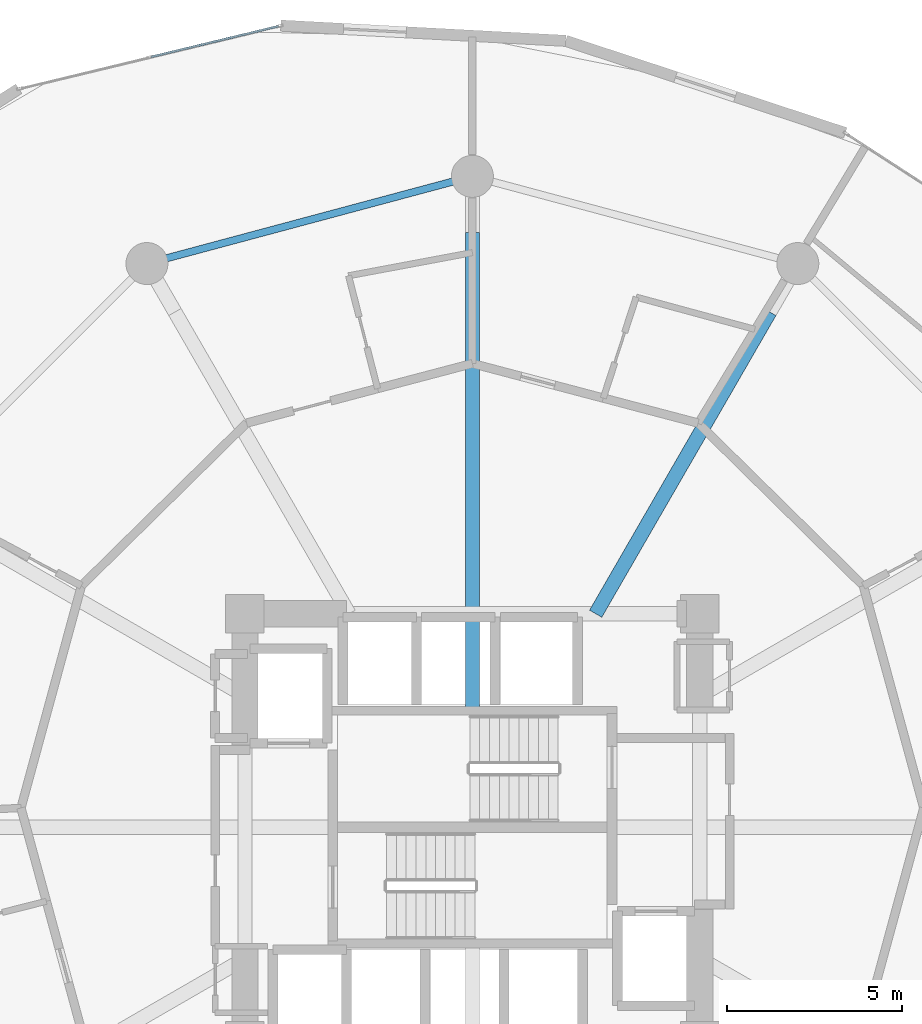
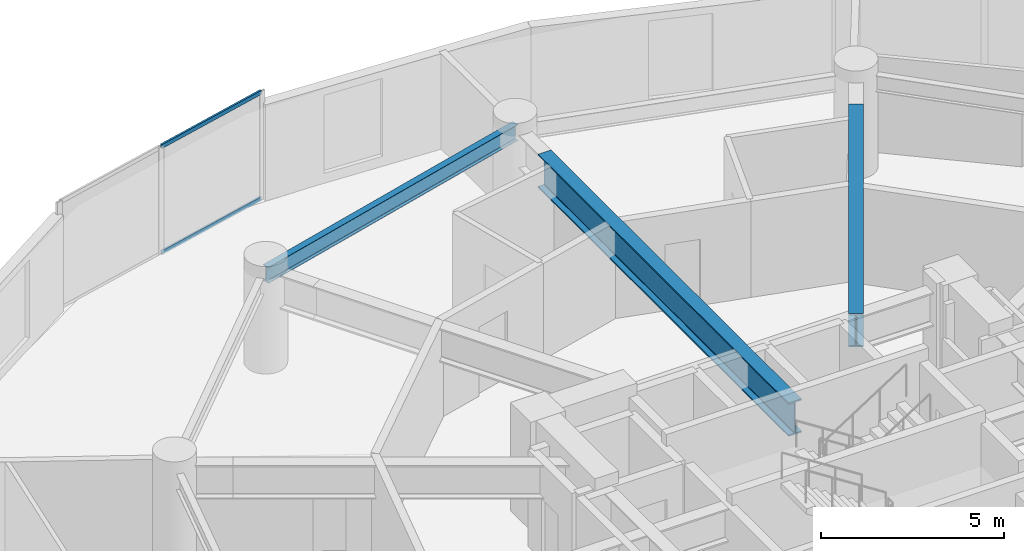
# One storey, part 14 of 24: 3 beams, 2 members, 1 element without a shape of its own.
"""IFC4 building model written with IfcOpenShell, lengths in metres."""

from ifc_helpers import new_model, si_unit, direction, frame, origin, origin_2d, place, context, subcontext, project, spatial, hollow_rectangle, i_section, extrude, source, transform, mapped, material, layer, layer_set, material_profile, profile_set, type_object, element, aggregate, save


model = new_model("IFC4")

# Units and contexts
model_context = context("Model", 3, precision=1e-05, world=origin(), true_north=direction((0.0, 1.0)))
body_context = subcontext(model_context, "Body", "Model", "MODEL_VIEW")
ifc_project = project(units=[si_unit("LENGTHUNIT", "METRE"), si_unit("AREAUNIT", "SQUARE_METRE"), si_unit("VOLUMEUNIT", "CUBIC_METRE"), si_unit("PLANEANGLEUNIT", "RADIAN"), si_unit("MASSUNIT", "GRAM", prefix="KILO")], contexts=[model_context])

# Site, building, storey
site_placement = place(None, origin())
site = spatial("IfcSite", under=ifc_project, at=site_placement, CompositionType="ELEMENT")
building_placement = place(site_placement, origin())
building = spatial("IfcBuilding", under=site, at=building_placement, Name="Solvirekh Grand Hotel", CompositionType="ELEMENT")
storey_placement = place(building_placement, frame((0.0, 0.0, 89.60009765625)))
storey = spatial("IfcBuildingStorey", under=building, at=storey_placement, Name="L22", CompositionType="ELEMENT", Elevation=89.60009765625)

# Beams
ifc_material_1 = material(Name="Steel S355", Category="steel")
ifc_material_profile_1 = material_profile(ifc_material_1, i_section(OverallWidth=0.208984375, OverallDepth=0.532958984375, WebThickness=0.010009765625, FlangeThickness=0.014892578125, FilletRadius=0.013916015625, at=origin_2d()), Name="W530X92")
ifc_profile_set_1 = profile_set([ifc_material_profile_1], Name="Steel S355")
beam_type_1 = type_object("IfcBeamType", Name="Spandrel_Ring_W530", PredefinedType="SPANDREL", material=ifc_profile_set_1)
beam_1_placement = place(storey_placement, frame((0.0, 18.60009765625, 2.933837890625), z_axis=(-0.965919414426, -0.258842973314, 0.0), x_axis=(0.258842973314, -0.965919414426, 0.0)))
element("IfcBeam", 1, at=beam_1_placement, inside=storey, type_object=beam_type_1, Name="L22 perimeter spandrel beam 4", PredefinedType="SPANDREL", context=body_context, shape_type="SweptSolid", body=[
    extrude(i_section(OverallWidth=0.208984375, OverallDepth=0.532958984375, WebThickness=0.010009765625, FlangeThickness=0.014892578125, FilletRadius=0.013916015625, at=origin_2d()), origin(), (0.0, 0.0, 1.0), 9.628173828125),
])
ifc_material_2 = material(Name="Steel S460", Category="steel")
ifc_material_profile_2 = material_profile(ifc_material_2, i_section(OverallWidth=0.405029296875, OverallDepth=1.117919921875, WebThickness=0.02587890625, FlangeThickness=0.048095703125, FilletRadius=0.02392578125, at=origin_2d()), Name="W1100X499")
ifc_profile_set_2 = profile_set([ifc_material_profile_2], Name="Steel S460")
beam_type_2 = type_object("IfcBeamType", Name="TransferGirder_W1100", PredefinedType="USERDEFINED", material=ifc_profile_set_2)
beam_2_placement = place(storey_placement, frame((3.52294921875, 6.10009765625, 2.640869140625), z_axis=(0.499942525684, 0.866058584054, 0.0), x_axis=(-0.866058584054, 0.499942525684, 0.0)))
element("IfcBeam", 2, at=beam_2_placement, inside=storey, type_object=beam_type_2, Name="L22 inner radial transfer girder 3A", ObjectType="TRANSFER GIRDER", PredefinedType="USERDEFINED", context=body_context, shape_type="SweptSolid", body=[
    extrude(i_section(OverallWidth=0.405029296875, OverallDepth=1.117919921875, WebThickness=0.02587890625, FlangeThickness=0.048095703125, FilletRadius=0.02392578125, at=origin_2d()), origin(), (0.0, 0.0, 1.0), 9.955322265625),
])
beam_3_placement = place(storey_placement, frame((0.0, 3.324951171875, 2.640869140625), z_axis=(0.0, 1.0, 0.0), x_axis=(-1.0, 0.0, 0.0)))
element("IfcBeam", 3, at=beam_3_placement, inside=storey, type_object=beam_type_2, Name="L22 inner radial transfer girder 4A", ObjectType="TRANSFER GIRDER", PredefinedType="USERDEFINED", context=body_context, shape_type="SweptSolid", body=[
    extrude(i_section(OverallWidth=0.405029296875, OverallDepth=1.117919921875, WebThickness=0.02587890625, FlangeThickness=0.048095703125, FilletRadius=0.02392578125, at=origin_2d()), origin(), (0.0, 0.0, 1.0), 13.675048828125),
])

# Curtain wall, members
ifc_material_3 = material(Name="Anodized Bronze Aluminium 6063-T6", Category="aluminium")
ifc_layer = layer(ifc_material_3, 0.18994140625)
ifc_layer_set = layer_set([ifc_layer], Name="Anodized Bronze Aluminium 6063-T6")
curtain_wall_type = type_object("IfcCurtainWallType", Name="CW_Sys2_LowZoneFlushBronzeCW", PredefinedType="NOTDEFINED", material=ifc_layer_set)
curtain_wall_placement = place(storey_placement, origin())
curtain_wall = element("IfcCurtainWall", 4, at=curtain_wall_placement, inside=storey, type_object=curtain_wall_type, Name="L22 unitised bronze-glass curtain wall CW-L22-C08", PredefinedType="NOTDEFINED")
ifc_material_profile_3 = material_profile(ifc_material_3, hollow_rectangle(XDim=0.06005859375, YDim=0.135009765625, WallThickness=0.00390625, at=origin_2d()), Name="ALU RHS 135X60X4")
ifc_profile_set_3 = profile_set([ifc_material_profile_3], Name="Anodized Bronze Aluminium 6063-T6")
member_type = type_object("IfcMemberType", Name="CWTransom_Sys2", PredefinedType="USERDEFINED", material=ifc_profile_set_3)
shared_shape = source(origin(), body_context, "Body", "SweptSolid", [
    extrude(hollow_rectangle(XDim=0.06005859375, YDim=0.135009765625, WallThickness=0.00390625, at=origin_2d()), origin(), (0.0, 0.0, 1.0), 3.74755859375),
])
member_1_placement = place(storey_placement, frame((-5.5400390625, 22.8916015625, 0.02978515625), z_axis=(-0.972076571874, -0.234663883915, 0.0), x_axis=(0.234663883915, -0.972076571874, 0.0)))
member_1 = element("IfcMember", 5, at=member_1_placement, type_object=member_type, Name="U02 transom 1.1", ObjectType="TRANSOM", PredefinedType="USERDEFINED", context=body_context, shape_type="MappedRepresentation", body=[
    mapped(shared_shape, transform((0.0, 0.0, 0.0), x_axis=(1.0, 0.0, 0.0), y_axis=(0.0, 1.0, 0.0), z_axis=(0.0, 0.0, 1.0), scale=1.0)),
])
member_2_placement = place(storey_placement, frame((-5.5400390625, 22.8916015625, 3.56982421875), z_axis=(-0.972076571874, -0.234663883915, 0.0), x_axis=(0.234663883915, -0.972076571874, 0.0)))
member_2 = element("IfcMember", 6, at=member_2_placement, type_object=member_type, Name="U02 transom 1.2", ObjectType="TRANSOM", PredefinedType="USERDEFINED", context=body_context, shape_type="MappedRepresentation", body=[
    mapped(shared_shape, transform((0.0, 0.0, 0.0), x_axis=(1.0, 0.0, 0.0), y_axis=(0.0, 1.0, 0.0), z_axis=(0.0, 0.0, 1.0), scale=1.0)),
])
aggregate(curtain_wall, [member_1, member_2])

save(model, "model.ifc")
